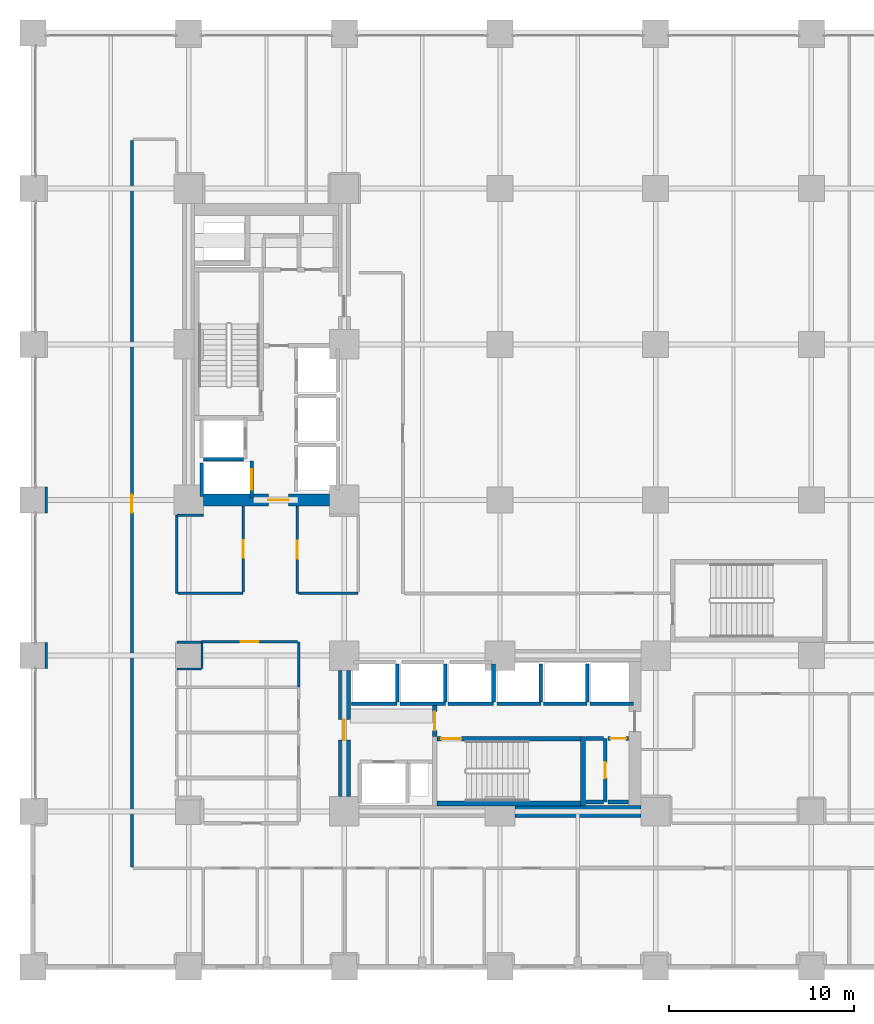
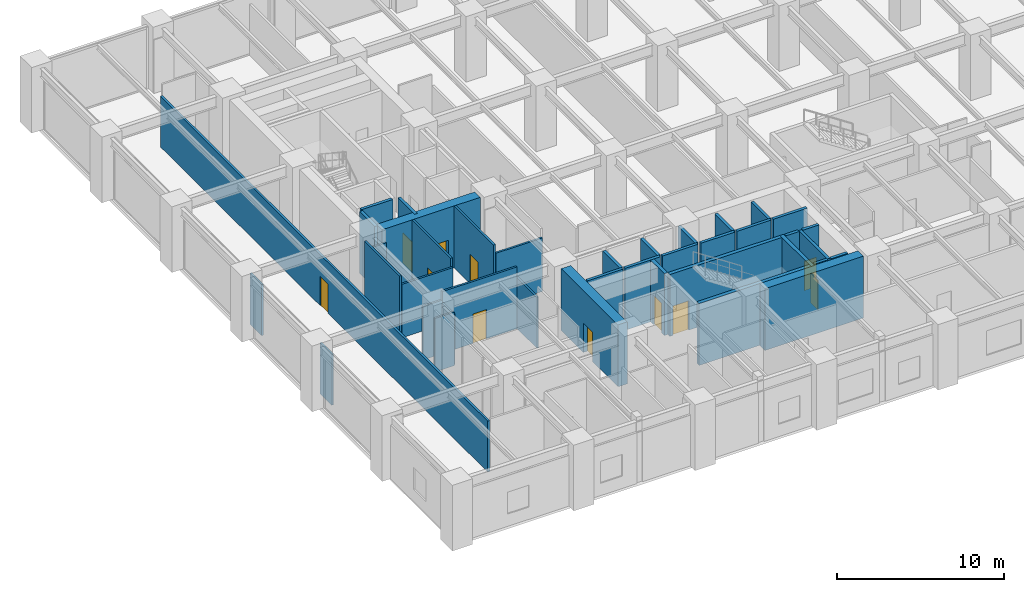
# One storey, part 20 of 24: 40 walls, 11 doors, 11 openings.
"""IFC4 building model written with IfcOpenShell, lengths in metres."""

from ifc_helpers import new_model, si_unit, direction, frame, frame_2d, origin, place, context, subcontext, project, spatial, rectangle, extrude, material, layer, layer_set, type_object, element, fill, save


model = new_model("IFC4")

# Units and contexts
model_context = context("Model", 3, precision=1e-05, world=origin(), true_north=direction((0.0, 1.0)))
body_context = subcontext(model_context, "Body", "Model", "MODEL_VIEW")
ifc_project = project(units=[si_unit("LENGTHUNIT", "METRE"), si_unit("AREAUNIT", "SQUARE_METRE"), si_unit("VOLUMEUNIT", "CUBIC_METRE"), si_unit("PLANEANGLEUNIT", "RADIAN"), si_unit("MASSUNIT", "GRAM", prefix="KILO")], contexts=[model_context])

# Site, building, storey
site_placement = place(None, origin())
site = spatial("IfcSite", under=ifc_project, at=site_placement, CompositionType="ELEMENT")
building_placement = place(site_placement, origin())
building = spatial("IfcBuilding", under=site, at=building_placement, Name="Nerrivon Quay Data Exchange", CompositionType="ELEMENT")
storey_placement = place(building_placement, frame((0.0, 0.0, 10.199951171875)))
storey = spatial("IfcBuildingStorey", under=building, at=storey_placement, Name="L02", CompositionType="ELEMENT", Elevation=10.199951171875)

# Wall, opening, door
ifc_material_1 = material(Name="Concrete N80 (80 MPa)", Category="concrete")
ifc_layer_1 = layer(ifc_material_1, 0.64990234375)
ifc_layer_set_1 = layer_set([ifc_layer_1], Name="Concrete N80 (80 MPa)")
wall_type_1 = type_object("IfcWallType", Name="WALL-CW-850", PredefinedType="SHEAR", material=ifc_layer_set_1)
wall_1_placement = place(storey_placement, frame((9.199951171875, 25.199951171875, 0.0), z_axis=(0.0, 0.0, 1.0), x_axis=(1.0, 0.0, 0.0)))
wall_1 = element("IfcWall", 1, at=wall_1_placement, inside=storey, type_object=wall_type_1, Name="L02 West Split-Core Shear Wall WCW-S1", PredefinedType="SHEAR", context=body_context, shape_type="SweptSolid", body=[
    extrude(rectangle(XDim=6.800048828125, YDim=0.64990234375, at=frame_2d((3.39990234375, 0.0))), origin(), (0.0, 0.0, 1.0), 4.525146484375),
])
opening_1_placement = place(wall_1_placement, frame((3.5, 0.0, 0.0)))
opening_1 = element("IfcOpeningElement", 2, at=opening_1_placement, cuts=wall_1, Name="Opening FD-120", PredefinedType="OPENING", context=body_context, shape_type="SweptSolid", body=[
    extrude(rectangle(XDim=1.10009765625, YDim=2.14990234375, at=frame_2d((0.550048828125, 1.074951171875))), frame((0.0, 0.3349609375, 0.0), z_axis=(0.0, -1.0, 0.0), x_axis=(1.0, 0.0, 0.0)), (0.0, 0.0, 1.0), 0.669921875),
])
ifc_material_2 = material(Name="Powder-coated galvanized steel sheet", Category="steel")
door_type_1 = type_object("IfcDoorType", Name="DR-FD120-1100", OperationType="NOTDEFINED", PredefinedType="DOOR", material=ifc_material_2)
door_1_placement = place(opening_1_placement, origin())
door_1 = element("IfcDoor", 3, at=door_1_placement, inside=storey, type_object=door_type_1, Name="L02 West Core Lobby Fire Door", OperationType="SINGLE_SWING_LEFT", OverallHeight=2.14990234375, OverallWidth=1.10009765625, PredefinedType="DOOR", context=body_context, shape_type="SweptSolid", body=[
    extrude(rectangle(XDim=1.10009765625, YDim=2.14990234375, at=frame_2d((0.550048828125, 1.074951171875))), frame((0.0, 0.02490234375, 0.0), z_axis=(0.0, -1.0, 0.0), x_axis=(1.0, 0.0, 0.0)), (0.0, 0.0, 1.0), 0.050048828125),
])
fill(opening_1, door_1)

# Wall
wall_2_placement = place(storey_placement, frame((26.0, 8.39990234375, 0.0), z_axis=(0.0, 0.0, 1.0), x_axis=(1.0, 0.0, 0.0)))
element("IfcWall", 4, at=wall_2_placement, inside=storey, type_object=wall_type_1, Name="L02 East Split-Core Shear Wall ECW-S2", PredefinedType="SHEAR", context=body_context, shape_type="SweptSolid", body=[
    extrude(rectangle(XDim=6.800048828125, YDim=0.64990234375, at=frame_2d((3.39990234375, 0.0))), origin(), (0.0, 0.0, 1.0), 4.525146484375),
])

# Wall, opening, door
wall_3_placement = place(storey_placement, frame((16.800048828125, 9.199951171875, 0.0), z_axis=(0.0, 0.0, 1.0), x_axis=(0.0, 1.0, 0.0)))
wall_3 = element("IfcWall", 5, at=wall_3_placement, inside=storey, type_object=wall_type_1, Name="L02 East Split-Core Shear Wall ECW-W1", PredefinedType="SHEAR", context=body_context, shape_type="SweptSolid", body=[
    extrude(rectangle(XDim=6.800048828125, YDim=0.64990234375, at=frame_2d((3.39990234375, 0.0))), origin(), (0.0, 0.0, 1.0), 4.525146484375),
])
opening_2_placement = place(wall_3_placement, frame((3.050048828125, 0.0, 0.0)))
opening_2 = element("IfcOpeningElement", 6, at=opening_2_placement, cuts=wall_3, Name="Opening FD-120", PredefinedType="OPENING", context=body_context, shape_type="SweptSolid", body=[
    extrude(rectangle(XDim=1.10009765625, YDim=2.14990234375, at=frame_2d((0.550048828125, 1.074951171875))), frame((0.0, 0.3349609375, 0.0), z_axis=(0.0, -1.0, 0.0), x_axis=(1.0, 0.0, 0.0)), (0.0, 0.0, 1.0), 0.669921875),
])
door_2_placement = place(opening_2_placement, origin())
door_2 = element("IfcDoor", 7, at=door_2_placement, inside=storey, type_object=door_type_1, Name="L02 East Core Lobby Fire Door", OperationType="SINGLE_SWING_LEFT", OverallHeight=2.14990234375, OverallWidth=1.10009765625, PredefinedType="DOOR", context=body_context, shape_type="SweptSolid", body=[
    extrude(rectangle(XDim=1.10009765625, YDim=2.14990234375, at=frame_2d((0.550048828125, 1.074951171875))), frame((0.0, 0.02490234375, 0.0), z_axis=(0.0, -1.0, 0.0), x_axis=(1.0, 0.0, 0.0)), (0.0, 0.0, 1.0), 0.050048828125),
])
fill(opening_2, door_2)

# Wall
ifc_material_3 = material(Name="Gypsum plasterboard on cold-formed framing", Category="gypsum")
ifc_layer_2 = layer(ifc_material_3, 0.199951171875)
ifc_layer_set_2 = layer_set([ifc_layer_2], Name="Gypsum plasterboard on cold-formed framing")
wall_type_2 = type_object("IfcWallType", Name="WALL-FW-200", PredefinedType="PARTITIONING", material=ifc_layer_set_2)
wall_4_placement = place(storey_placement, frame((9.199951171875, 27.39990234375, 0.0), z_axis=(0.0, 0.0, 1.0), x_axis=(1.0, 0.0, 0.0)))
element("IfcWall", 8, at=wall_4_placement, inside=storey, type_object=wall_type_2, Name="L02 Lift Shaft Wall FFL-1 SOUTH", PredefinedType="PARTITIONING", context=body_context, shape_type="SweptSolid", body=[
    extrude(rectangle(XDim=2.150146484375, YDim=0.199951171875, at=frame_2d((1.0751953125, 0.0))), origin(), (0.0, 0.0, 1.0), 4.525146484375),
])

# Wall, opening, door
wall_5_placement = place(storey_placement, frame((11.800048828125, 25.300048828125, 0.0), z_axis=(0.0, 0.0, 1.0), x_axis=(0.0, 1.0, 0.0)))
wall_5 = element("IfcWall", 9, at=wall_5_placement, inside=storey, type_object=wall_type_2, Name="L02 Lift Front Wall SVL-1", PredefinedType="PARTITIONING", context=body_context, shape_type="SweptSolid", body=[
    extrude(rectangle(XDim=2.0, YDim=0.199951171875, at=frame_2d((1.0, 0.0))), origin(), (0.0, 0.0, 1.0), 4.525146484375),
])
opening_3_placement = place(wall_5_placement, frame((0.449951171875, 0.0, 0.0)))
opening_3 = element("IfcOpeningElement", 10, at=opening_3_placement, cuts=wall_5, Name="Opening LD-120", PredefinedType="OPENING", context=body_context, shape_type="SweptSolid", body=[
    extrude(rectangle(XDim=1.10009765625, YDim=2.199951171875, at=frame_2d((0.550048828125, 1.10009765625))), frame((0.0, 0.10986328125, 0.0), z_axis=(0.0, -1.0, 0.0), x_axis=(1.0, 0.0, 0.0)), (0.0, 0.0, 1.0), 0.219970703125),
])
door_type_2 = type_object("IfcDoorType", Name="DR-LIFT-LD120", OperationType="DOUBLE_DOOR_SLIDING", PredefinedType="DOOR", material=ifc_material_2)
door_3_placement = place(opening_3_placement, origin())
door_3 = element("IfcDoor", 11, at=door_3_placement, inside=storey, type_object=door_type_2, Name="L02 Lift Landing Sliding Door SVL-1", OperationType="DOUBLE_DOOR_SLIDING", OverallHeight=2.199951171875, OverallWidth=1.10009765625, PredefinedType="DOOR", context=body_context, shape_type="SweptSolid", body=[
    extrude(rectangle(XDim=1.10009765625, YDim=2.199951171875, at=frame_2d((0.550048828125, 1.10009765625))), frame((0.0, 0.02490234375, 0.0), z_axis=(0.0, -1.0, 0.0), x_axis=(1.0, 0.0, 0.0)), (0.0, 0.0, 1.0), 0.050048828125),
])
fill(opening_3, door_3)

# Walls
wall_6_placement = place(storey_placement, frame((9.10009765625, 25.39990234375, 0.0), z_axis=(0.0, 0.0, 1.0), x_axis=(0.0, 1.0, 0.0)))
element("IfcWall", 12, at=wall_6_placement, inside=storey, type_object=wall_type_2, Name="L02 Lift Shaft Wall SVL-1 WEST", PredefinedType="PARTITIONING", context=body_context, shape_type="SweptSolid", body=[
    extrude(rectangle(XDim=1.800048828125, YDim=0.199951171875, at=frame_2d((0.89990234375, 0.0))), origin(), (0.0, 0.0, 1.0), 4.525146484375),
])
wall_7_placement = place(storey_placement, frame((17.199951171875, 14.199951171875, 0.0), z_axis=(0.0, 0.0, 1.0), x_axis=(1.0, 0.0, 0.0)))
element("IfcWall", 13, at=wall_7_placement, inside=storey, type_object=wall_type_2, Name="L02 Lift Front Wall PL4", PredefinedType="PARTITIONING", context=body_context, shape_type="SweptSolid", body=[
    extrude(rectangle(XDim=2.449951171875, YDim=0.199951171875, at=frame_2d((1.22509765625, 0.0))), origin(), (0.0, 0.0, 1.0), 4.525146484375),
])
wall_8_placement = place(storey_placement, frame((19.64990234375, 14.300048828125, 0.0), z_axis=(0.0, 0.0, 1.0), x_axis=(0.0, 1.0, 0.0)))
element("IfcWall", 14, at=wall_8_placement, inside=storey, type_object=wall_type_2, Name="L02 Lift Shaft Wall PL4 EAST", PredefinedType="PARTITIONING", context=body_context, shape_type="SweptSolid", body=[
    extrude(rectangle(XDim=2.050048828125, YDim=0.199951171875, at=frame_2d((1.02490234375, 0.0))), origin(), (0.0, 0.0, 1.0), 4.525146484375),
])
wall_9_placement = place(storey_placement, frame((19.800048828125, 14.199951171875, 0.0), z_axis=(0.0, 0.0, 1.0), x_axis=(1.0, 0.0, 0.0)))
element("IfcWall", 15, at=wall_9_placement, inside=storey, type_object=wall_type_2, Name="L02 Lift Front Wall PL5", PredefinedType="PARTITIONING", context=body_context, shape_type="SweptSolid", body=[
    extrude(rectangle(XDim=2.449951171875, YDim=0.199951171875, at=frame_2d((1.22509765625, 0.0))), origin(), (0.0, 0.0, 1.0), 4.525146484375),
])
wall_10_placement = place(storey_placement, frame((22.25, 14.300048828125, 0.0), z_axis=(0.0, 0.0, 1.0), x_axis=(0.0, 1.0, 0.0)))
element("IfcWall", 16, at=wall_10_placement, inside=storey, type_object=wall_type_2, Name="L02 Lift Shaft Wall PL5 EAST", PredefinedType="PARTITIONING", context=body_context, shape_type="SweptSolid", body=[
    extrude(rectangle(XDim=2.050048828125, YDim=0.199951171875, at=frame_2d((1.02490234375, 0.0))), origin(), (0.0, 0.0, 1.0), 4.525146484375),
])
wall_11_placement = place(storey_placement, frame((22.39990234375, 14.199951171875, 0.0), z_axis=(0.0, 0.0, 1.0), x_axis=(1.0, 0.0, 0.0)))
element("IfcWall", 17, at=wall_11_placement, inside=storey, type_object=wall_type_2, Name="L02 Lift Front Wall PL6", PredefinedType="PARTITIONING", context=body_context, shape_type="SweptSolid", body=[
    extrude(rectangle(XDim=2.4501953125, YDim=0.199951171875, at=frame_2d((1.22509765625, 0.0))), origin(), (0.0, 0.0, 1.0), 4.525146484375),
])
wall_12_placement = place(storey_placement, frame((24.85009765625, 14.300048828125, 0.0), z_axis=(0.0, 0.0, 1.0), x_axis=(0.0, 1.0, 0.0)))
element("IfcWall", 18, at=wall_12_placement, inside=storey, type_object=wall_type_2, Name="L02 Lift Shaft Wall PL6 EAST", PredefinedType="PARTITIONING", context=body_context, shape_type="SweptSolid", body=[
    extrude(rectangle(XDim=2.050048828125, YDim=0.199951171875, at=frame_2d((1.02490234375, 0.0))), origin(), (0.0, 0.0, 1.0), 4.525146484375),
])
wall_13_placement = place(storey_placement, frame((25.050048828125, 14.199951171875, 0.0), z_axis=(0.0, 0.0, 1.0), x_axis=(1.0, 0.0, 0.0)))
element("IfcWall", 19, at=wall_13_placement, inside=storey, type_object=wall_type_2, Name="L02 Lift Front Wall PL7", PredefinedType="PARTITIONING", context=body_context, shape_type="SweptSolid", body=[
    extrude(rectangle(XDim=2.349853515625, YDim=0.199951171875, at=frame_2d((1.1748046875, 0.0))), origin(), (0.0, 0.0, 1.0), 4.525146484375),
])
wall_14_placement = place(storey_placement, frame((27.39990234375, 14.300048828125, 0.0), z_axis=(0.0, 0.0, 1.0), x_axis=(0.0, 1.0, 0.0)))
element("IfcWall", 20, at=wall_14_placement, inside=storey, type_object=wall_type_2, Name="L02 Lift Shaft Wall PL7 EAST", PredefinedType="PARTITIONING", context=body_context, shape_type="SweptSolid", body=[
    extrude(rectangle(XDim=2.050048828125, YDim=0.199951171875, at=frame_2d((1.02490234375, 0.0))), origin(), (0.0, 0.0, 1.0), 4.525146484375),
])
wall_15_placement = place(storey_placement, frame((27.550048828125, 14.199951171875, 0.0), z_axis=(0.0, 0.0, 1.0), x_axis=(1.0, 0.0, 0.0)))
element("IfcWall", 21, at=wall_15_placement, inside=storey, type_object=wall_type_2, Name="L02 Lift Front Wall PL8", PredefinedType="PARTITIONING", context=body_context, shape_type="SweptSolid", body=[
    extrude(rectangle(XDim=2.349853515625, YDim=0.199951171875, at=frame_2d((1.1748046875, 0.0))), origin(), (0.0, 0.0, 1.0), 4.525146484375),
])
wall_16_placement = place(storey_placement, frame((29.89990234375, 14.300048828125, 0.0), z_axis=(0.0, 0.0, 1.0), x_axis=(0.0, 1.0, 0.0)))
element("IfcWall", 22, at=wall_16_placement, inside=storey, type_object=wall_type_2, Name="L02 Lift Shaft Wall PL8 EAST", PredefinedType="PARTITIONING", context=body_context, shape_type="SweptSolid", body=[
    extrude(rectangle(XDim=2.050048828125, YDim=0.199951171875, at=frame_2d((1.02490234375, 0.0))), origin(), (0.0, 0.0, 1.0), 4.525146484375),
])
wall_17_placement = place(storey_placement, frame((30.050048828125, 14.199951171875, 0.0), z_axis=(0.0, 0.0, 1.0), x_axis=(1.0, 0.0, 0.0)))
element("IfcWall", 23, at=wall_17_placement, inside=storey, type_object=wall_type_2, Name="L02 Lift Front Wall PL9", PredefinedType="PARTITIONING", context=body_context, shape_type="SweptSolid", body=[
    extrude(rectangle(XDim=2.349853515625, YDim=0.199951171875, at=frame_2d((1.1748046875, 0.0))), origin(), (0.0, 0.0, 1.0), 4.525146484375),
])

# Wall, opening, door
wall_18_placement = place(storey_placement, frame((30.8798828125, 8.89990234375, 0.0), z_axis=(0.0, 0.0, 1.0), x_axis=(0.0, 1.0, 0.0)))
wall_18 = element("IfcWall", 24, at=wall_18_placement, inside=storey, type_object=wall_type_2, Name="L02 Partition East Electrical Closet", PredefinedType="PARTITIONING", context=body_context, shape_type="SweptSolid", body=[
    extrude(rectangle(XDim=3.43017578125, YDim=0.199951171875, at=frame_2d((1.715087890625, 0.0))), origin(), (0.0, 0.0, 1.0), 4.525146484375),
])
opening_4_placement = place(wall_18_placement, frame((1.2900390625, 0.0, 0.0)))
opening_4 = element("IfcOpeningElement", 25, at=opening_4_placement, cuts=wall_18, Name="Opening FD-60S", PredefinedType="OPENING", context=body_context, shape_type="SweptSolid", body=[
    extrude(rectangle(XDim=0.85009765625, YDim=2.14990234375, at=frame_2d((0.425048828125, 1.074951171875))), frame((0.0, 0.10986328125, 0.0), z_axis=(0.0, -1.0, 0.0), x_axis=(1.0, 0.0, 0.0)), (0.0, 0.0, 1.0), 0.219970703125),
])
ifc_material_4 = material(Name="Engineered hardwood timber", Category="wood")
door_type_3 = type_object("IfcDoorType", Name="DR-FD60-850", OperationType="NOTDEFINED", PredefinedType="DOOR", material=ifc_material_4)
door_4_placement = place(opening_4_placement, origin())
door_4 = element("IfcDoor", 26, at=door_4_placement, inside=storey, type_object=door_type_3, Name="L02 Door East Electrical Closet", OperationType="SINGLE_SWING_LEFT", OverallHeight=2.14990234375, OverallWidth=0.85009765625, PredefinedType="DOOR", context=body_context, shape_type="SweptSolid", body=[
    extrude(rectangle(XDim=0.85009765625, YDim=2.14990234375, at=frame_2d((0.425048828125, 1.074951171875))), frame((0.0, 0.02490234375, 0.0), z_axis=(0.0, -1.0, 0.0), x_axis=(1.0, 0.0, 0.0)), (0.0, 0.0, 1.0), 0.050048828125),
])
fill(opening_4, door_4)

# Walls
for number, where, z_axis, x_axis, name in (
    (27, (30.77587890625, 12.330078125, 0.0), (0.0, 0.0, 1.0), (-1.0, 0.0, 0.0), "L02 Partition East Electrical Closet"),
    (28, (29.85009765625, 8.89990234375, 0.0), (0.0, 0.0, 1.0), (1.0, 0.0, 0.0), "L02 Partition East Electrical Closet"),
):
    element("IfcWall", number, at=place(storey_placement, frame(where, z_axis=z_axis, x_axis=x_axis)), inside=storey, type_object=wall_type_2, Name=name, PredefinedType="PARTITIONING", context=body_context, shape_type="SweptSolid", body=[
        extrude(rectangle(XDim=0.92578125, YDim=0.199951171875, at=frame_2d((0.462890625, 0.0))), origin(), (0.0, 0.0, 1.0), 4.525146484375),
    ])

# Wall, opening, door
wall_19_placement = place(storey_placement, frame((32.14599609375, 12.330078125, 0.0), z_axis=(0.0, 0.0, 1.0), x_axis=(-1.0, 0.0, 0.0)))
wall_19 = element("IfcWall", 29, at=wall_19_placement, inside=storey, type_object=wall_type_2, Name="L02 Partition East Cleaners Store", PredefinedType="PARTITIONING", context=body_context, shape_type="SweptSolid", body=[
    extrude(rectangle(XDim=1.1259765625, YDim=0.199951171875, at=frame_2d((0.56298828125, 0.0))), origin(), (0.0, 0.0, 1.0), 4.525146484375),
])
opening_5_placement = place(wall_19_placement, frame((0.137939453125, 0.0, 0.0)))
opening_5 = element("IfcOpeningElement", 30, at=opening_5_placement, cuts=wall_19, Name="Opening FD-60S", PredefinedType="OPENING", context=body_context, shape_type="SweptSolid", body=[
    extrude(rectangle(XDim=0.85009765625, YDim=2.14990234375, at=frame_2d((0.425048828125, 1.074951171875))), frame((0.0, 0.10986328125, 0.0), z_axis=(0.0, -1.0, 0.0), x_axis=(1.0, 0.0, 0.0)), (0.0, 0.0, 1.0), 0.219970703125),
])
door_5_placement = place(opening_5_placement, origin())
door_5 = element("IfcDoor", 31, at=door_5_placement, inside=storey, type_object=door_type_3, Name="L02 Door East Cleaners Store", OperationType="SINGLE_SWING_RIGHT", OverallHeight=2.14990234375, OverallWidth=0.85009765625, PredefinedType="DOOR", context=body_context, shape_type="SweptSolid", body=[
    extrude(rectangle(XDim=0.85009765625, YDim=2.14990234375, at=frame_2d((0.425048828125, 1.074951171875))), frame((0.0, 0.02490234375, 0.0), z_axis=(0.0, -1.0, 0.0), x_axis=(1.0, 0.0, 0.0)), (0.0, 0.0, 1.0), 0.050048828125),
])
fill(opening_5, door_5)

# Walls
wall_20_placement = place(storey_placement, frame((31.02001953125, 8.89990234375, 0.0), z_axis=(0.0, 0.0, 1.0), x_axis=(1.0, 0.0, 0.0)))
element("IfcWall", 32, at=wall_20_placement, inside=storey, type_object=wall_type_2, Name="L02 Partition East Cleaners Store", PredefinedType="PARTITIONING", context=body_context, shape_type="SweptSolid", body=[
    extrude(rectangle(XDim=1.1259765625, YDim=0.199951171875, at=frame_2d((0.56298828125, 0.0))), origin(), (0.0, 0.0, 1.0), 4.525146484375),
])
ifc_layer_3 = layer(ifc_material_3, 0.1201171875)
ifc_layer_set_3 = layer_set([ifc_layer_3], Name="Gypsum plasterboard on cold-formed framing")
wall_type_3 = type_object("IfcWallType", Name="WALL-PT-120", PredefinedType="PARTITIONING", material=ifc_layer_set_3)
wall_21_placement = place(storey_placement, frame((7.760009765625, 17.52001953125, 0.0), z_axis=(0.0, 0.0, 1.0), x_axis=(1.0, 0.0, 0.0)))
element("IfcWall", 33, at=wall_21_placement, inside=storey, type_object=wall_type_3, Name="L02 Partition Engineers Lounge", PredefinedType="PARTITIONING", context=body_context, shape_type="SweptSolid", body=[
    extrude(rectangle(XDim=1.340087890625, YDim=0.1201171875, at=frame_2d((0.669921875, 0.0))), origin(), (0.0, 0.0, 1.0), 3.9130859375),
])
wall_22_placement = place(storey_placement, frame((9.1201171875, 17.5, 0.0), z_axis=(0.0, 0.0, 1.0), x_axis=(0.0, -1.0, 0.0)))
element("IfcWall", 34, at=wall_22_placement, inside=storey, type_object=wall_type_3, Name="L02 Partition Engineers Lounge", PredefinedType="PARTITIONING", context=body_context, shape_type="SweptSolid", body=[
    extrude(rectangle(XDim=1.39990234375, YDim=0.1201171875, at=frame_2d((0.699951171875, 0.0))), origin(), (0.0, 0.0, 1.0), 3.72509765625),
])
wall_23_placement = place(storey_placement, frame((9.10009765625, 16.080078125, 0.0), z_axis=(0.0, 0.0, 1.0), x_axis=(-1.0, 0.0, 0.0)))
element("IfcWall", 35, at=wall_23_placement, inside=storey, type_object=wall_type_3, Name="L02 Partition Engineers Lounge", PredefinedType="PARTITIONING", context=body_context, shape_type="SweptSolid", body=[
    extrude(rectangle(XDim=1.340087890625, YDim=0.1201171875, at=frame_2d((0.669921875, 0.0))), origin(), (0.0, 0.0, 1.0), 3.9130859375),
])
wall_24_placement = place(storey_placement, frame((14.340087890625, 15.114990234375, 0.0), z_axis=(0.0, 0.0, 1.0), x_axis=(0.0, 1.0, 0.0)))
element("IfcWall", 36, at=wall_24_placement, inside=storey, type_object=wall_type_3, Name="L02 Partition Engineers Lounge", PredefinedType="PARTITIONING", context=body_context, shape_type="SweptSolid", body=[
    extrude(rectangle(XDim=2.425048828125, YDim=0.1201171875, at=frame_2d((1.21240234375, 0.0))), origin(), (0.0, 0.0, 1.0), 3.72509765625),
])
wall_25_placement = place(storey_placement, frame((9.205810546875, 24.380859375, 0.0), z_axis=(0.0, 0.0, 1.0), x_axis=(-0.999999771885, -0.00067544733, 0.0)))
element("IfcWall", 37, at=wall_25_placement, inside=storey, type_object=wall_type_3, Name="L02 Partition Engineers Lounge 14", PredefinedType="PARTITIONING", context=body_context, shape_type="SweptSolid", body=[
    extrude(rectangle(XDim=1.44580078125, YDim=0.1201171875, at=frame_2d((0.722900390625, 0.0))), origin(), (0.0, 0.0, 1.0), 3.9130859375),
])
for number, where, z_axis, x_axis, name in (
    (38, (0.719970703125, 25.89990234375, 0.0), (0.0, 0.0, 1.0), (0.0, -1.0, 0.0), "L02 Partition Engineers Lounge 14"),
    (39, (0.719970703125, 17.5, 0.0), (0.0, 0.0, 1.0), (0.0, -1.0, 0.0), "L02 Partition Engineers Lounge 14"),
):
    element("IfcWall", number, at=place(storey_placement, frame(where, z_axis=z_axis, x_axis=x_axis)), inside=storey, type_object=wall_type_3, Name=name, PredefinedType="PARTITIONING", context=body_context, shape_type="SweptSolid", body=[
        extrude(rectangle(XDim=1.39990234375, YDim=0.1201171875, at=frame_2d((0.699951171875, 0.0))), origin(), (0.0, 0.0, 1.0), 3.72509765625),
    ])

# Wall, opening, door
ifc_layer_4 = layer(ifc_material_3, 0.135009765625)
ifc_layer_set_4 = layer_set([ifc_layer_4], Name="Gypsum plasterboard on cold-formed framing")
wall_type_4 = type_object("IfcWallType", Name="WALL-PT-135", PredefinedType="PARTITIONING", material=ifc_layer_set_4)
wall_26_placement = place(storey_placement, frame((14.27587890625, 17.5400390625, 0.0), z_axis=(0.0, 0.0, 1.0), x_axis=(-1.0, 0.0, 0.0)))
wall_26 = element("IfcWall", 40, at=wall_26_placement, inside=storey, type_object=wall_type_4, Name="L02 Partition Engineers Lounge", PredefinedType="PARTITIONING", context=body_context, shape_type="SweptSolid", body=[
    extrude(rectangle(XDim=5.17578125, YDim=0.135009765625, at=frame_2d((2.587890625, 0.0))), origin(), (0.0, 0.0, 1.0), 4.525146484375),
])
opening_6_placement = place(wall_26_placement, frame((2.113037109375, 0.0, 0.0)))
opening_6 = element("IfcOpeningElement", 41, at=opening_6_placement, cuts=wall_26, Name="Opening D-01", PredefinedType="OPENING", context=body_context, shape_type="SweptSolid", body=[
    extrude(rectangle(XDim=0.949951171875, YDim=2.14990234375, at=frame_2d((0.47509765625, 1.074951171875))), frame((0.0, 0.077392578125, 0.0), z_axis=(0.0, -1.0, 0.0), x_axis=(1.0, 0.0, 0.0)), (0.0, 0.0, 1.0), 0.155029296875),
])
door_type_4 = type_object("IfcDoorType", Name="DR-INT-950", OperationType="NOTDEFINED", PredefinedType="DOOR", material=ifc_material_4)
door_6_placement = place(opening_6_placement, origin())
door_6 = element("IfcDoor", 42, at=door_6_placement, inside=storey, type_object=door_type_4, Name="L02 Door Engineers Lounge", OperationType="SINGLE_SWING_LEFT", OverallHeight=2.14990234375, OverallWidth=0.949951171875, PredefinedType="DOOR", context=body_context, shape_type="SweptSolid", body=[
    extrude(rectangle(XDim=0.949951171875, YDim=2.14990234375, at=frame_2d((0.47509765625, 1.074951171875))), frame((0.0, 0.02490234375, 0.0), z_axis=(0.0, -1.0, 0.0), x_axis=(1.0, 0.0, 0.0)), (0.0, 0.0, 1.0), 0.050048828125),
])
fill(opening_6, door_6)

wall_27_placement = place(storey_placement, frame((14.260009765625, 24.87109375, 0.0), z_axis=(0.0, 0.0, 1.0), x_axis=(0.0, -1.0, 0.0)))
wall_27 = element("IfcWall", 43, at=wall_27_placement, inside=storey, type_object=wall_type_4, Name="L02 Partition Exchange Gallery Auditorium 9", PredefinedType="PARTITIONING", context=body_context, shape_type="SweptSolid", body=[
    extrude(rectangle(XDim=4.711181640625, YDim=0.135009765625, at=frame_2d((2.35546875, 0.0))), origin(), (0.0, 0.0, 1.0), 4.525146484375),
])
opening_7_placement = place(wall_27_placement, frame((1.880615234375, 0.0, 0.0)))
opening_7 = element("IfcOpeningElement", 44, at=opening_7_placement, cuts=wall_27, Name="Opening D-01", PredefinedType="OPENING", context=body_context, shape_type="SweptSolid", body=[
    extrude(rectangle(XDim=0.949951171875, YDim=2.14990234375, at=frame_2d((0.47509765625, 1.074951171875))), frame((0.0, 0.077392578125, 0.0), z_axis=(0.0, -1.0, 0.0), x_axis=(1.0, 0.0, 0.0)), (0.0, 0.0, 1.0), 0.155029296875),
])
door_7_placement = place(opening_7_placement, origin())
door_7 = element("IfcDoor", 45, at=door_7_placement, inside=storey, type_object=door_type_4, Name="L02 Door Exchange Gallery Auditorium 9", OperationType="SINGLE_SWING_LEFT", OverallHeight=2.14990234375, OverallWidth=0.949951171875, PredefinedType="DOOR", context=body_context, shape_type="SweptSolid", body=[
    extrude(rectangle(XDim=0.949951171875, YDim=2.14990234375, at=frame_2d((0.47509765625, 1.074951171875))), frame((0.0, 0.02490234375, 0.0), z_axis=(0.0, -1.0, 0.0), x_axis=(1.0, 0.0, 0.0)), (0.0, 0.0, 1.0), 0.050048828125),
])
fill(opening_7, door_7)

# Walls
wall_28_placement = place(storey_placement, frame((14.33154296875, 20.159912109375, 0.0), z_axis=(0.0, 0.0, 1.0), x_axis=(1.0, 0.0, 0.0)))
element("IfcWall", 46, at=wall_28_placement, inside=storey, type_object=wall_type_4, Name="L02 Partition Exchange Gallery Auditorium 9", PredefinedType="PARTITIONING", context=body_context, shape_type="SweptSolid", body=[
    extrude(rectangle(XDim=3.20849609375, YDim=0.135009765625, at=frame_2d((1.604248046875, 0.0))), origin(), (0.0, 0.0, 1.0), 3.9130859375),
])
wall_29_placement = place(storey_placement, frame((7.760009765625, 24.3798828125, 0.0), z_axis=(0.0, 0.0, 1.0), x_axis=(0.0, -1.0, 0.0)))
element("IfcWall", 47, at=wall_29_placement, inside=storey, type_object=wall_type_4, Name="L02 Partition Engineers Lounge 14", PredefinedType="PARTITIONING", context=body_context, shape_type="SweptSolid", body=[
    extrude(rectangle(XDim=4.219970703125, YDim=0.135009765625, at=frame_2d((2.10986328125, 0.0))), origin(), (0.0, 0.0, 1.0), 4.525146484375),
])
wall_30_placement = place(storey_placement, frame((7.83154296875, 20.159912109375, 0.0), z_axis=(0.0, 0.0, 1.0), x_axis=(1.0, 0.0, 0.0)))
element("IfcWall", 48, at=wall_30_placement, inside=storey, type_object=wall_type_4, Name="L02 Partition Engineers Lounge 14", PredefinedType="PARTITIONING", context=body_context, shape_type="SweptSolid", body=[
    extrude(rectangle(XDim=3.508544921875, YDim=0.135009765625, at=frame_2d((1.75439453125, 0.0))), origin(), (0.0, 0.0, 1.0), 3.9130859375),
])

# Wall, opening, door
wall_31_placement = place(storey_placement, frame((11.340087890625, 20.2314453125, 0.0), z_axis=(0.0, 0.0, 1.0), x_axis=(0.0, 1.0, 0.0)))
wall_31 = element("IfcWall", 49, at=wall_31_placement, inside=storey, type_object=wall_type_4, Name="L02 Partition Engineers Lounge 14", PredefinedType="PARTITIONING", context=body_context, shape_type="SweptSolid", body=[
    extrude(rectangle(XDim=4.6396484375, YDim=0.135009765625, at=frame_2d((2.31982421875, 0.0))), origin(), (0.0, 0.0, 1.0), 4.525146484375),
])
opening_8_placement = place(wall_31_placement, frame((1.8447265625, 0.0, 0.0)))
opening_8 = element("IfcOpeningElement", 50, at=opening_8_placement, cuts=wall_31, Name="Opening D-01", PredefinedType="OPENING", context=body_context, shape_type="SweptSolid", body=[
    extrude(rectangle(XDim=0.949951171875, YDim=2.14990234375, at=frame_2d((0.47509765625, 1.074951171875))), frame((0.0, 0.077392578125, 0.0), z_axis=(0.0, -1.0, 0.0), x_axis=(1.0, 0.0, 0.0)), (0.0, 0.0, 1.0), 0.155029296875),
])
door_8_placement = place(opening_8_placement, origin())
door_8 = element("IfcDoor", 51, at=door_8_placement, inside=storey, type_object=door_type_4, Name="L02 Door Engineers Lounge 14", OperationType="SINGLE_SWING_RIGHT", OverallHeight=2.14990234375, OverallWidth=0.949951171875, PredefinedType="DOOR", context=body_context, shape_type="SweptSolid", body=[
    extrude(rectangle(XDim=0.949951171875, YDim=2.14990234375, at=frame_2d((0.47509765625, 1.074951171875))), frame((0.0, 0.02490234375, 0.0), z_axis=(0.0, -1.0, 0.0), x_axis=(1.0, 0.0, 0.0)), (0.0, 0.0, 1.0), 0.050048828125),
])
fill(opening_8, door_8)

ifc_layer_5 = layer(ifc_material_3, 0.14990234375)
ifc_layer_set_5 = layer_set([ifc_layer_5], Name="Gypsum plasterboard on cold-formed framing")
wall_type_5 = type_object("IfcWallType", Name="WALL-PT-150", PredefinedType="PARTITIONING", material=ifc_layer_set_5)
wall_32_placement = place(storey_placement, frame((5.34033203125, 5.39404296875, 0.0), z_axis=(0.0, 0.0, 1.0), x_axis=(-6.227115e-06, 0.999999999981, 0.0)))
wall_32 = element("IfcWall", 52, at=wall_32_placement, inside=storey, type_object=wall_type_5, Name="L02 Partition Engineers Lounge 14", PredefinedType="PARTITIONING", context=body_context, shape_type="SweptSolid", body=[
    extrude(rectangle(XDim=39.2060546875, YDim=0.14990234375, at=frame_2d((19.60302734375, 0.0))), origin(), (0.0, 0.0, 1.0), 3.72509765625),
])
opening_9_placement = place(wall_32_placement, frame((19.1279296875, 0.0, 0.0)))
opening_9 = element("IfcOpeningElement", 53, at=opening_9_placement, cuts=wall_32, Name="Opening D-01", PredefinedType="OPENING", context=body_context, shape_type="SweptSolid", body=[
    extrude(rectangle(XDim=0.949951171875, YDim=2.14990234375, at=frame_2d((0.47509765625, 1.074951171875))), frame((0.0, 0.0849609375, 0.0), z_axis=(0.0, -1.0, 0.0), x_axis=(1.0, 0.0, 0.0)), (0.0, 0.0, 1.0), 0.169921875),
])
door_9_placement = place(opening_9_placement, origin())
door_9 = element("IfcDoor", 54, at=door_9_placement, inside=storey, type_object=door_type_4, Name="L02 Door Engineers Lounge 14", OperationType="SINGLE_SWING_LEFT", OverallHeight=2.14990234375, OverallWidth=0.949951171875, PredefinedType="DOOR", context=body_context, shape_type="SweptSolid", body=[
    extrude(rectangle(XDim=0.949951171875, YDim=2.14990234375, at=frame_2d((0.47509765625, 1.074951171875))), frame((0.0, 0.02490234375, 0.0), z_axis=(0.0, -1.0, 0.0), x_axis=(1.0, 0.0, 0.0)), (0.0, 0.0, 1.0), 0.050048828125),
])
fill(opening_9, door_9)

# Walls
ifc_material_5 = material(Name="Concrete N50 (50 MPa)", Category="concrete")
ifc_layer_6 = layer(ifc_material_5, 0.25)
ifc_layer_set_6 = layer_set([ifc_layer_6], Name="Concrete N50 (50 MPa)")
wall_type_6 = type_object("IfcWallType", Name="WALL-SW-250", PredefinedType="SHEAR", material=ifc_layer_set_6)
wall_33_placement = place(storey_placement, frame((29.675048828125, 8.699951171875, 0.0), z_axis=(0.0, 0.0, 1.0), x_axis=(0.0, 1.0, 0.0)))
element("IfcWall", 55, at=wall_33_placement, inside=storey, type_object=wall_type_6, Name="L02 ST02 Structural Stair Core Wall FAR", PredefinedType="SHEAR", context=body_context, shape_type="SweptSolid", body=[
    extrude(rectangle(XDim=3.75, YDim=0.25, at=frame_2d((1.875, 0.0))), origin(), (0.0, 0.0, 1.0), 4.525146484375),
])
wall_34_placement = place(storey_placement, frame((21.800048828125, 8.824951171875, 0.0), z_axis=(0.0, 0.0, 1.0), x_axis=(1.0, 0.0, 0.0)))
element("IfcWall", 56, at=wall_34_placement, inside=storey, type_object=wall_type_6, Name="L02 ST02 Structural Stair Core Wall LEFT", PredefinedType="SHEAR", context=body_context, shape_type="SweptSolid", body=[
    extrude(rectangle(XDim=7.75, YDim=0.25, at=frame_2d((3.875, 0.0))), origin(), (0.0, 0.0, 1.0), 4.525146484375),
])

# Wall, opening, door
wall_35_placement = place(storey_placement, frame((21.800048828125, 12.324951171875, 0.0), z_axis=(0.0, 0.0, 1.0), x_axis=(1.0, 0.0, 0.0)))
wall_35 = element("IfcWall", 57, at=wall_35_placement, inside=storey, type_object=wall_type_6, Name="L02 ST02 Structural Stair Core Wall RIGHT", PredefinedType="SHEAR", context=body_context, shape_type="SweptSolid", body=[
    extrude(rectangle(XDim=7.75, YDim=0.25, at=frame_2d((3.875, 0.0))), origin(), (0.0, 0.0, 1.0), 4.525146484375),
])
opening_10_placement = place(wall_35_placement, frame((0.219970703125, 0.0, 0.0)))
opening_10 = element("IfcOpeningElement", 58, at=opening_10_placement, cuts=wall_35, Name="Opening FD-120", PredefinedType="OPENING", context=body_context, shape_type="SweptSolid", body=[
    extrude(rectangle(XDim=1.10009765625, YDim=2.14990234375, at=frame_2d((0.550048828125, 1.074951171875))), frame((0.0, 0.135009765625, 0.0), z_axis=(0.0, -1.0, 0.0), x_axis=(1.0, 0.0, 0.0)), (0.0, 0.0, 1.0), 0.27001953125),
])
door_10_placement = place(opening_10_placement, origin())
door_10 = element("IfcDoor", 59, at=door_10_placement, inside=storey, type_object=door_type_1, Name="L02 Protected Stair Door ST02", OperationType="SINGLE_SWING_LEFT", OverallHeight=2.14990234375, OverallWidth=1.10009765625, PredefinedType="DOOR", context=body_context, shape_type="SweptSolid", body=[
    extrude(rectangle(XDim=1.10009765625, YDim=2.14990234375, at=frame_2d((0.550048828125, 1.074951171875))), frame((0.0, 0.02490234375, 0.0), z_axis=(0.0, -1.0, 0.0), x_axis=(1.0, 0.0, 0.0)), (0.0, 0.0, 1.0), 0.050048828125),
])
fill(opening_10, door_10)

wall_36_placement = place(storey_placement, frame((21.679931640625, 12.449951171875, 0.0), z_axis=(0.0, 0.0, 1.0), x_axis=(0.0, 1.0, 0.0)))
wall_36 = element("IfcWall", 60, at=wall_36_placement, inside=storey, type_object=wall_type_6, Name="L02 East Firefighting Lobby Wall", PredefinedType="SHEAR", context=body_context, shape_type="SweptSolid", body=[
    extrude(rectangle(XDim=1.650146484375, YDim=0.25, at=frame_2d((0.8251953125, 0.0))), origin(), (0.0, 0.0, 1.0), 4.525146484375),
])
opening_11_placement = place(wall_36_placement, frame((0.324951171875, 0.0, 0.0)))
opening_11 = element("IfcOpeningElement", 61, at=opening_11_placement, cuts=wall_36, Name="Opening FD-60", PredefinedType="OPENING", context=body_context, shape_type="SweptSolid", body=[
    extrude(rectangle(XDim=1.0, YDim=2.14990234375, at=frame_2d((0.5, 1.074951171875))), frame((0.0, 0.135009765625, 0.0), z_axis=(0.0, -1.0, 0.0), x_axis=(1.0, 0.0, 0.0)), (0.0, 0.0, 1.0), 0.27001953125),
])
door_type_5 = type_object("IfcDoorType", Name="DR-FD60-1000", OperationType="NOTDEFINED", PredefinedType="DOOR", material=ifc_material_4)
door_11_placement = place(opening_11_placement, origin())
door_11 = element("IfcDoor", 62, at=door_11_placement, inside=storey, type_object=door_type_5, Name="L02 East Firefighting Lobby Fire Door", OperationType="SINGLE_SWING_RIGHT", OverallHeight=2.14990234375, OverallWidth=1.0, PredefinedType="DOOR", context=body_context, shape_type="SweptSolid", body=[
    extrude(rectangle(XDim=1.0, YDim=2.14990234375, at=frame_2d((0.5, 1.074951171875))), frame((0.0, 0.02490234375, 0.0), z_axis=(0.0, -1.0, 0.0), x_axis=(1.0, 0.0, 0.0)), (0.0, 0.0, 1.0), 0.050048828125),
])
fill(opening_11, door_11)

save(model, "model.ifc")
